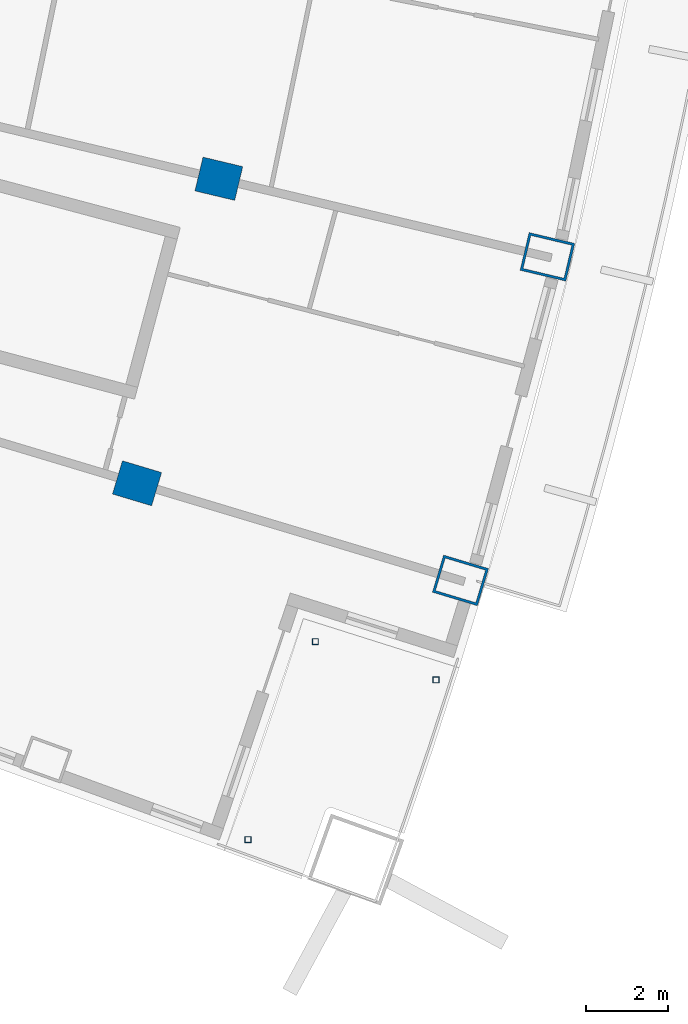
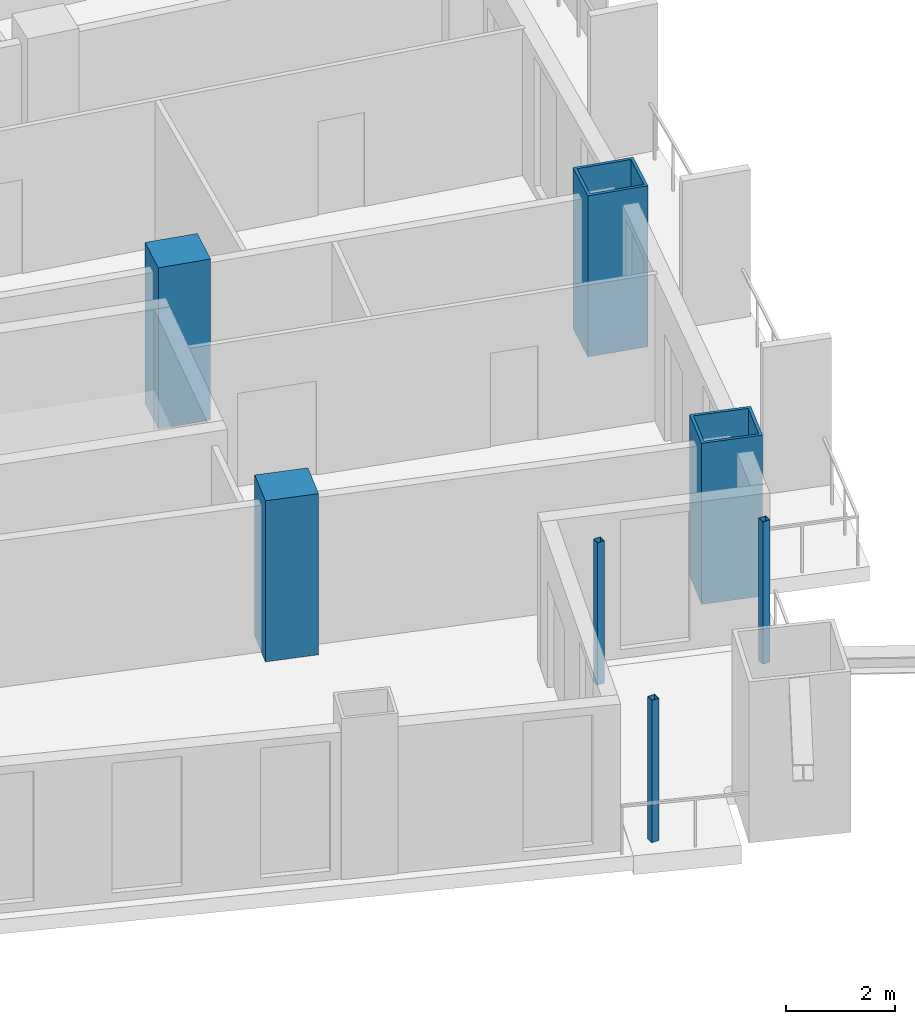
# One storey, part 5 of 25: 7 columns.
"""IFC4 building model written with IfcOpenShell, lengths in metres."""

from ifc_helpers import new_model, si_unit, direction, frame, origin, origin_2d, place, context, subcontext, project, spatial, rectangle, hollow_rectangle, extrude, material, material_profile, profile_set, type_object, element, save


model = new_model("IFC4")

# Units and contexts
model_context = context("Model", 3, precision=1e-05, world=origin(), true_north=direction((0.0, 1.0)))
body_context = subcontext(model_context, "Body", "Model", "MODEL_VIEW")
ifc_project = project(units=[si_unit("LENGTHUNIT", "METRE"), si_unit("AREAUNIT", "SQUARE_METRE"), si_unit("VOLUMEUNIT", "CUBIC_METRE"), si_unit("PLANEANGLEUNIT", "RADIAN"), si_unit("MASSUNIT", "GRAM", prefix="KILO")], contexts=[model_context])

# Site, building, storey
site_placement = place(None, origin())
site = spatial("IfcSite", under=ifc_project, at=site_placement, CompositionType="ELEMENT")
building_placement = place(site_placement, origin())
building = spatial("IfcBuilding", under=site, at=building_placement, Name="Alderwake Tower", CompositionType="ELEMENT")
storey_placement = place(building_placement, frame((0.0, 0.0, 122.0)))
storey = spatial("IfcBuildingStorey", under=building, at=storey_placement, Name="L30", CompositionType="ELEMENT", Elevation=122.0)

# Columns
ifc_material_1 = material(Name="Concrete C70/85", Category="concrete")
ifc_material_profile_1 = material_profile(ifc_material_1, rectangle(XDim=0.85009765625, YDim=1.0, at=origin_2d()), Name="RC 1000X850")
ifc_profile_set_1 = profile_set([ifc_material_profile_1], Name="Concrete C70/85")
column_type_1 = type_object("IfcColumnType", Name="Interior column Z2", PredefinedType="COLUMN", material=ifc_profile_set_1)
for number, where, z_axis, x_axis, name in (
    (1, (46.744384765625, 22.94775390625, 0.0), (0.0, 0.0, 1.0), (0.287549418125, 0.957765802342, 0.0), "Column R02-C4"),
    (2, (48.747314453125, 30.401611328125, 0.0), (0.0, 0.0, 1.0), (0.231221547198, 0.972901123502, 0.0), "Column R03-C4"),
):
    element("IfcColumn", number, at=place(storey_placement, frame(where, z_axis=z_axis, x_axis=x_axis)), inside=storey, type_object=column_type_1, Name=name, PredefinedType="COLUMN", context=body_context, shape_type="SweptSolid", body=[
        extrude(rectangle(XDim=0.85009765625, YDim=1.0, at=origin_2d()), origin(), (0.0, 0.0, 1.0), 3.60009765625),
    ])
ifc_material_2 = material(Name="Steel ASTM A500 Grade C", Category="steel")
ifc_material_profile_2 = material_profile(ifc_material_2, hollow_rectangle(XDim=0.15234375, YDim=0.15234375, WallThickness=0.0087890625, at=origin_2d()), Name="HSS6X6X3/8")
ifc_profile_set_2 = profile_set([ifc_material_profile_2], Name="Steel ASTM A500 Grade C")
column_type_2 = type_object("IfcColumnType", Name="Light post HSS6X6X3/8", PredefinedType="COLUMN", material=ifc_profile_set_2)
for number, where, z_axis, x_axis, name in (
    (3, (54.064697265625, 18.13720703125, 0.0), (0.0, 0.0, 1.0), (1.0, 0.0, 0.0), "Terrace post FS1"),
    (4, (49.458251953125, 14.22314453125, 0.0), (0.0, 0.0, 1.0), (1.0, 0.0, 0.0), "Terrace post FS2"),
    (5, (51.10888671875, 19.07177734375, 0.0), (0.0, 0.0, 1.0), (1.0, 0.0, 0.0), "Terrace post FS3"),
):
    element("IfcColumn", number, at=place(storey_placement, frame(where, z_axis=z_axis, x_axis=x_axis)), inside=storey, type_object=column_type_2, Name=name, PredefinedType="COLUMN", context=body_context, shape_type="SweptSolid", body=[
        extrude(hollow_rectangle(XDim=0.15234375, YDim=0.15234375, WallThickness=0.0087890625, at=origin_2d()), origin(), (0.0, 0.0, 1.0), 3.179931640625),
    ])
ifc_material_3 = material(Name="Steel ASTM A572 Grade 50 concrete filled C70/85", Category="concrete")
ifc_material_profile_3 = material_profile(ifc_material_3, hollow_rectangle(XDim=0.949951171875, YDim=1.14990234375, WallThickness=0.06005859375, at=origin_2d()), Name="BOX 1150X950X60")
ifc_profile_set_3 = profile_set([ifc_material_profile_3], Name="Steel ASTM A572 Grade 50 concrete filled C70/85")
column_type_3 = type_object("IfcColumnType", Name="Perimeter column Z2", PredefinedType="COLUMN", material=ifc_profile_set_3)
for number, where, z_axis, x_axis, name in (
    (6, (54.661865234375, 20.570556640625, 0.0), (0.0, 0.0, 1.0), (0.287549418125, 0.957765802342, 0.0), "Column R02-C5"),
    (7, (56.789794921875, 28.490234375, 0.0), (0.0, 0.0, 1.0), (0.231221547198, 0.972901123502, 0.0), "Column R03-C5"),
):
    element("IfcColumn", number, at=place(storey_placement, frame(where, z_axis=z_axis, x_axis=x_axis)), inside=storey, type_object=column_type_3, Name=name, PredefinedType="COLUMN", context=body_context, shape_type="SweptSolid", body=[
        extrude(hollow_rectangle(XDim=0.949951171875, YDim=1.14990234375, WallThickness=0.06005859375, at=origin_2d()), origin(), (0.0, 0.0, 1.0), 3.60009765625),
    ])

save(model, "model.ifc")
